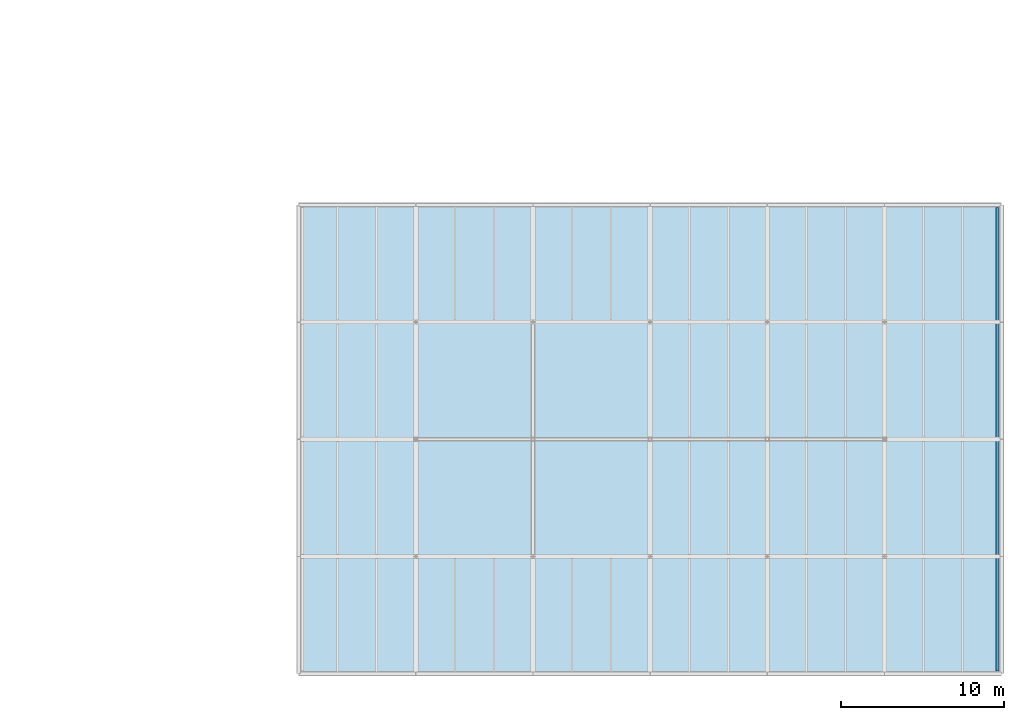
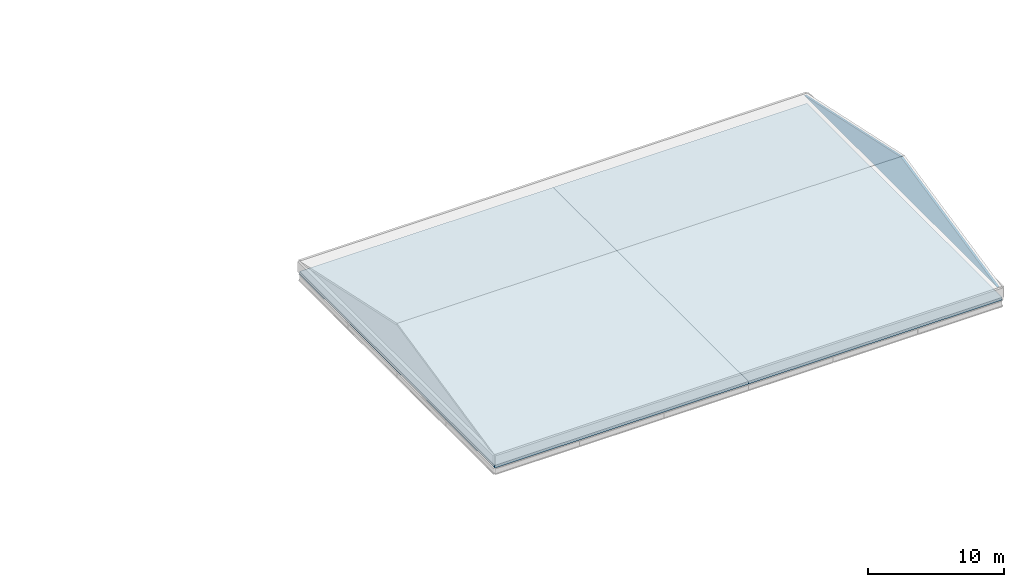
# One storey, part 32 of 66: 2 slabs, 1 plate.
"""IFC4 building model written with IfcOpenShell, lengths in metres."""

from ifc_helpers import new_model, si_unit, direction, frame, origin, place, context, subcontext, project, spatial, polyline, outline, extrude, material, layer, layer_set, type_object, element, save


model = new_model("IFC4")

# Units and contexts
model_context = context("Model", 3, precision=1e-05, world=origin(), true_north=direction((0.0, 1.0)))
body_context = subcontext(model_context, "Body", "Model", "MODEL_VIEW")
ifc_project = project(units=[si_unit("LENGTHUNIT", "METRE"), si_unit("AREAUNIT", "SQUARE_METRE"), si_unit("VOLUMEUNIT", "CUBIC_METRE"), si_unit("PLANEANGLEUNIT", "RADIAN"), si_unit("MASSUNIT", "GRAM", prefix="KILO")], contexts=[model_context])

# Site, building, storey
site_placement = place(None, origin())
site = spatial("IfcSite", under=ifc_project, at=site_placement, CompositionType="ELEMENT")
building_placement = place(site_placement, origin())
building = spatial("IfcBuilding", under=site, at=building_placement, Name="Narikvali Park Central Library", CompositionType="ELEMENT")
storey_placement = place(building_placement, frame((0.0, 0.0, 18.60009765625)))
storey = spatial("IfcBuildingStorey", under=building, at=storey_placement, Name="L04", CompositionType="ELEMENT", Elevation=18.60009765625)

# Plate
ifc_material_1 = material(Name="White Honed Limestone Cladding", Category="masonry")
ifc_layer_1 = layer(ifc_material_1, 0.179931640625, Name="White Honed Limestone Cladding")
ifc_layer_set_1 = layer_set([ifc_layer_1], Name="White Honed Limestone Cladding")
plate_type = type_object("IfcPlateType", Name="Classical Limestone Gable Tympanum 180", PredefinedType="SHEET", material=ifc_layer_set_1)
plate_placement = place(storey_placement, frame((165.449951171875, 0.14990234375, 0.919921875), z_axis=(1.0, 0.0, 0.0), x_axis=(0.0, 1.0, 0.0)))
element("IfcPlate", 1, at=plate_placement, inside=storey, type_object=plate_type, Name="V6 L04 Classical Gable Pediment Tympanum E", PredefinedType="SHEET", context=body_context, shape_type="SweptSolid", body=[
    extrude(outline(polyline([(0.0, 0.0), (28.5, 0.0), (14.25, 3.10986328125), (0.0, 0.0)])), origin(), (0.0, 0.0, -1.0), 0.179931640625),
])

# Slabs
ifc_material_2 = material(Name="Concrete C35/45", Category="concrete")
ifc_layer_2 = layer(ifc_material_2, 0.239990234375, Name="Concrete C35/45")
ifc_layer_set_2 = layer_set([ifc_layer_2], Name="Concrete C35/45")
slab_type = type_object("IfcSlabType", Name="Flat Acoustic Roof Slab 240", PredefinedType="ROOF", material=ifc_layer_set_2)
slab_1_placement = place(storey_placement, frame((0.0, 0.0, -0.239990234375)))
element("IfcSlab", 2, at=slab_1_placement, inside=storey, type_object=slab_type, Name="V6 L04 Structural Slab Panel 1", PredefinedType="ROOF", context=body_context, shape_type="SweptSolid", body=[
    extrude(outline(polyline([(122.39990234375, 0.0), (144.0, 0.0), (144.0, 28.800048828125), (122.39990234375, 28.800048828125), (122.39990234375, 0.0)])), origin(), (0.0, 0.0, 1.0), 0.239990234375),
])
slab_2_placement = place(storey_placement, frame((0.0, 0.0, -0.239990234375)))
element("IfcSlab", 3, at=slab_2_placement, inside=storey, type_object=slab_type, Name="V6 L04 Structural Slab Panel 2", PredefinedType="ROOF", context=body_context, shape_type="SweptSolid", body=[
    extrude(outline(polyline([(144.0, 0.0), (165.60009765625, 0.0), (165.60009765625, 28.800048828125), (144.0, 28.800048828125), (144.0, 0.0)])), origin(), (0.0, 0.0, 1.0), 0.239990234375),
])

save(model, "model.ifc")
